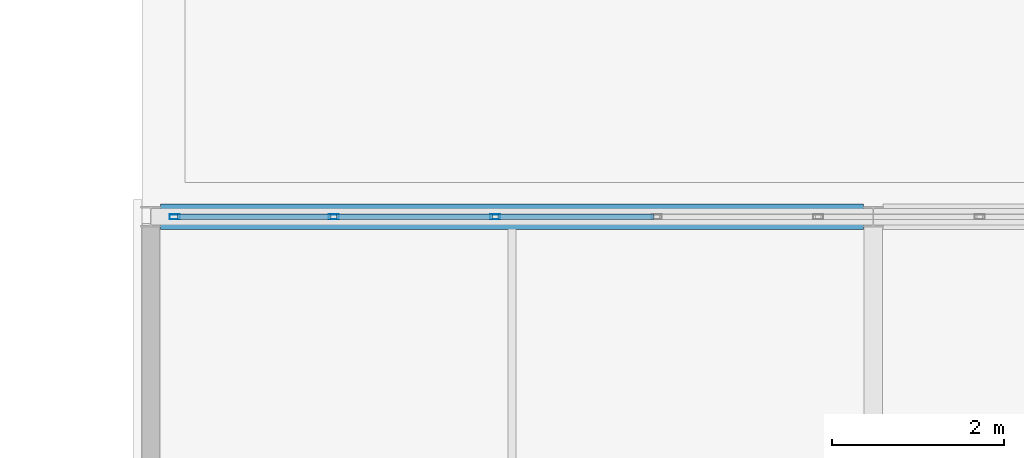
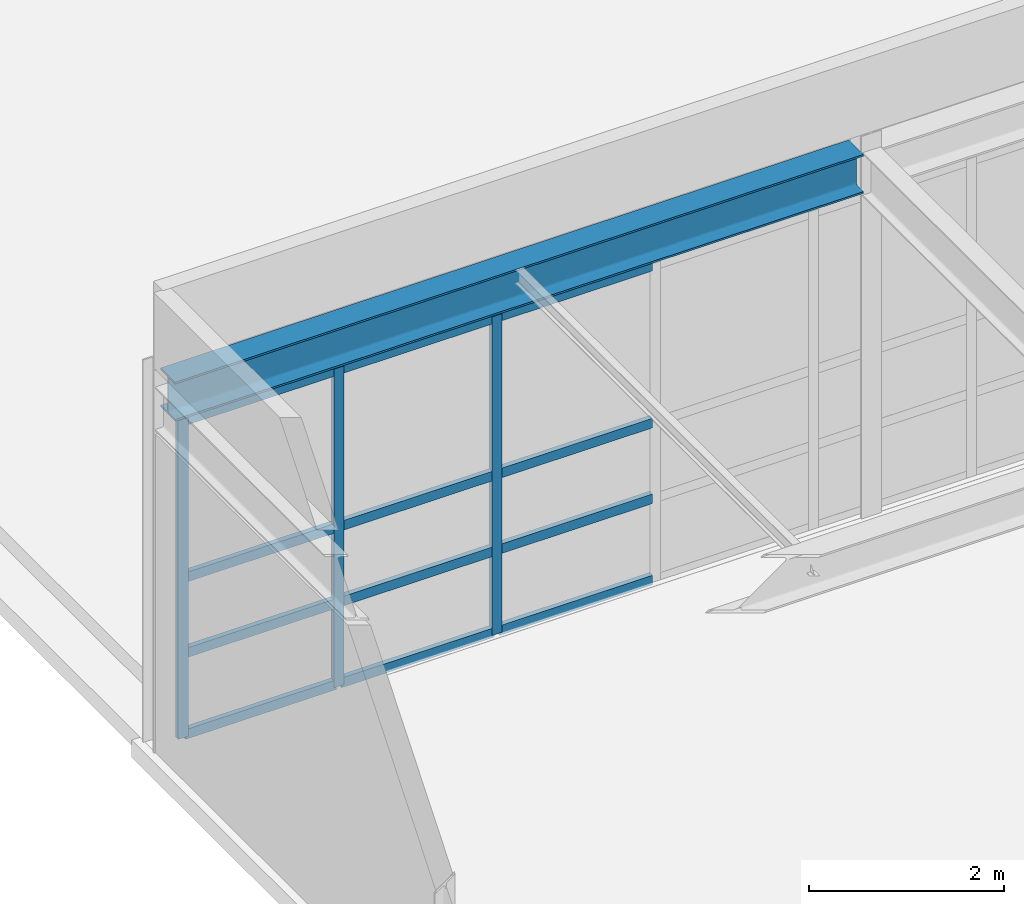
# One storey, part 20 of 38: 15 members, 1 beam, 1 element without a shape of its own.
"""IFC4 building model written with IfcOpenShell, lengths in metres."""

from ifc_helpers import new_model, si_unit, direction, frame, origin, origin_2d, place, context, subcontext, project, spatial, hollow_rectangle, i_section, extrude, material, material_profile, profile_set, type_object, element, aggregate, save


model = new_model("IFC4")

# Units and contexts
model_context = context("Model", 3, precision=1e-05, world=origin(), true_north=direction((0.0, 1.0)))
body_context = subcontext(model_context, "Body", "Model", "MODEL_VIEW")
ifc_project = project(units=[si_unit("LENGTHUNIT", "METRE"), si_unit("AREAUNIT", "SQUARE_METRE"), si_unit("VOLUMEUNIT", "CUBIC_METRE"), si_unit("PLANEANGLEUNIT", "RADIAN"), si_unit("MASSUNIT", "GRAM", prefix="KILO")], contexts=[model_context])

# Site, building, storey
site_placement = place(None, origin())
site = spatial("IfcSite", under=ifc_project, at=site_placement, CompositionType="ELEMENT")
building_placement = place(site_placement, origin())
building = spatial("IfcBuilding", under=site, at=building_placement, Name="Kaldris Quays Convention Centre", CompositionType="ELEMENT")
storey_placement = place(building_placement, frame((0.0, 0.0, 21.60009765625)))
storey = spatial("IfcBuildingStorey", under=building, at=storey_placement, Name="L04", CompositionType="ELEMENT", Elevation=21.60009765625)

# Curtain wall, members
ifc_material_1 = material(Name="Anodized aluminium AW-6060 and triple glazing", Category="aluminium")
curtain_wall_type = type_object("IfcCurtainWallType", Name="UNITISED CURTAIN WALL CW05", PredefinedType="NOTDEFINED", material=ifc_material_1)
curtain_wall_placement = place(storey_placement, origin())
curtain_wall = element("IfcCurtainWall", 1, at=curtain_wall_placement, inside=storey, type_object=curtain_wall_type, Name="L04 Unitised Curtain Wall CW05 151", PredefinedType="NOTDEFINED")
ifc_material_2 = material(Name="Anodized aluminium AW-6060", Category="aluminium")
ifc_material_profile_1 = material_profile(ifc_material_2, hollow_rectangle(XDim=0.06005859375, YDim=0.1201171875, WallThickness=0.00390625, at=origin_2d()), Name="RHS 120x60x4")
ifc_profile_set_1 = profile_set([ifc_material_profile_1], Name="Anodized aluminium AW-6060")
member_type_1 = type_object("IfcMemberType", Name="CURTAIN MULLION CWM3", PredefinedType="MULLION", material=ifc_profile_set_1)
member_1_placement = place(storey_placement, frame((146.8798828125, 98.0, 0.0), z_axis=(0.0, 0.0, 1.0), x_axis=(0.0, 1.0, 0.0)))
member_1 = element("IfcMember", 2, at=member_1_placement, type_object=member_type_1, Name="CW05 mullion 1", PredefinedType="MULLION", context=body_context, shape_type="SweptSolid", body=[
    extrude(hollow_rectangle(XDim=0.06005859375, YDim=0.1201171875, WallThickness=0.00390625, at=origin_2d()), origin(), (0.0, 0.0, 1.0), 4.0),
])
member_2_placement = place(storey_placement, frame((148.727783203125, 98.0, 0.0), z_axis=(0.0, 0.0, 1.0), x_axis=(0.0, 1.0, 0.0)))
member_2 = element("IfcMember", 3, at=member_2_placement, type_object=member_type_1, Name="CW05 mullion 2", PredefinedType="MULLION", context=body_context, shape_type="SweptSolid", body=[
    extrude(hollow_rectangle(XDim=0.06005859375, YDim=0.1201171875, WallThickness=0.00390625, at=origin_2d()), origin(), (0.0, 0.0, 1.0), 4.0),
])
member_3_placement = place(storey_placement, frame((150.60546875, 98.0, 0.0), z_axis=(0.0, 0.0, 1.0), x_axis=(0.0, 1.0, 0.0)))
member_3 = element("IfcMember", 4, at=member_3_placement, type_object=member_type_1, Name="CW05 mullion 3", PredefinedType="MULLION", context=body_context, shape_type="SweptSolid", body=[
    extrude(hollow_rectangle(XDim=0.06005859375, YDim=0.1201171875, WallThickness=0.00390625, at=origin_2d()), origin(), (0.0, 0.0, 1.0), 4.0),
])
ifc_material_profile_2 = material_profile(ifc_material_2, hollow_rectangle(XDim=0.06005859375, YDim=0.1201171875, WallThickness=0.00390625, at=origin_2d()), Name="RHS 120x60x4")
ifc_profile_set_2 = profile_set([ifc_material_profile_2], Name="Anodized aluminium AW-6060")
member_type_2 = type_object("IfcMemberType", Name="CURTAIN TRANSOM CWT1", PredefinedType="USERDEFINED", material=ifc_profile_set_2)
member_4_placement = place(storey_placement, frame((146.909912109375, 98.0, 0.02978515625), z_axis=(1.0, 0.0, 0.0), x_axis=(0.0, 1.0, 0.0)))
member_4 = element("IfcMember", 5, at=member_4_placement, type_object=member_type_2, Name="CW05 transom 1.1", ObjectType="TRANSOM", PredefinedType="USERDEFINED", context=body_context, shape_type="SweptSolid", body=[
    extrude(hollow_rectangle(XDim=0.06005859375, YDim=0.1201171875, WallThickness=0.00390625, at=origin_2d()), origin(), (0.0, 0.0, 1.0), 1.787841796875),
])
member_5_placement = place(storey_placement, frame((146.909912109375, 98.0, 1.0498046875), z_axis=(1.0, 0.0, 0.0), x_axis=(0.0, 1.0, 0.0)))
member_5 = element("IfcMember", 6, at=member_5_placement, type_object=member_type_2, Name="CW05 transom 1.2", ObjectType="TRANSOM", PredefinedType="USERDEFINED", context=body_context, shape_type="SweptSolid", body=[
    extrude(hollow_rectangle(XDim=0.06005859375, YDim=0.1201171875, WallThickness=0.00390625, at=origin_2d()), origin(), (0.0, 0.0, 1.0), 1.787841796875),
])
member_6_placement = place(storey_placement, frame((146.909912109375, 98.0, 2.0), z_axis=(1.0, 0.0, 0.0), x_axis=(0.0, 1.0, 0.0)))
member_6 = element("IfcMember", 7, at=member_6_placement, type_object=member_type_2, Name="CW05 transom 1.3", ObjectType="TRANSOM", PredefinedType="USERDEFINED", context=body_context, shape_type="SweptSolid", body=[
    extrude(hollow_rectangle(XDim=0.06005859375, YDim=0.1201171875, WallThickness=0.00390625, at=origin_2d()), origin(), (0.0, 0.0, 1.0), 1.787841796875),
])
member_7_placement = place(storey_placement, frame((146.909912109375, 98.0, 3.969970703125), z_axis=(1.0, 0.0, 0.0), x_axis=(0.0, 1.0, 0.0)))
member_7 = element("IfcMember", 8, at=member_7_placement, type_object=member_type_2, Name="CW05 transom 1.4", ObjectType="TRANSOM", PredefinedType="USERDEFINED", context=body_context, shape_type="SweptSolid", body=[
    extrude(hollow_rectangle(XDim=0.06005859375, YDim=0.1201171875, WallThickness=0.00390625, at=origin_2d()), origin(), (0.0, 0.0, 1.0), 1.787841796875),
])
member_8_placement = place(storey_placement, frame((148.7578125, 98.0, 0.02978515625), z_axis=(1.0, 0.0, 0.0), x_axis=(0.0, 1.0, 0.0)))
member_8 = element("IfcMember", 9, at=member_8_placement, type_object=member_type_2, Name="CW05 transom 2.1", ObjectType="TRANSOM", PredefinedType="USERDEFINED", context=body_context, shape_type="SweptSolid", body=[
    extrude(hollow_rectangle(XDim=0.06005859375, YDim=0.1201171875, WallThickness=0.00390625, at=origin_2d()), origin(), (0.0, 0.0, 1.0), 1.817626953125),
])
member_9_placement = place(storey_placement, frame((148.7578125, 98.0, 1.0498046875), z_axis=(1.0, 0.0, 0.0), x_axis=(0.0, 1.0, 0.0)))
member_9 = element("IfcMember", 10, at=member_9_placement, type_object=member_type_2, Name="CW05 transom 2.2", ObjectType="TRANSOM", PredefinedType="USERDEFINED", context=body_context, shape_type="SweptSolid", body=[
    extrude(hollow_rectangle(XDim=0.06005859375, YDim=0.1201171875, WallThickness=0.00390625, at=origin_2d()), origin(), (0.0, 0.0, 1.0), 1.817626953125),
])
member_10_placement = place(storey_placement, frame((148.7578125, 98.0, 2.0), z_axis=(1.0, 0.0, 0.0), x_axis=(0.0, 1.0, 0.0)))
member_10 = element("IfcMember", 11, at=member_10_placement, type_object=member_type_2, Name="CW05 transom 2.3", ObjectType="TRANSOM", PredefinedType="USERDEFINED", context=body_context, shape_type="SweptSolid", body=[
    extrude(hollow_rectangle(XDim=0.06005859375, YDim=0.1201171875, WallThickness=0.00390625, at=origin_2d()), origin(), (0.0, 0.0, 1.0), 1.817626953125),
])
member_11_placement = place(storey_placement, frame((148.7578125, 98.0, 3.969970703125), z_axis=(1.0, 0.0, 0.0), x_axis=(0.0, 1.0, 0.0)))
member_11 = element("IfcMember", 12, at=member_11_placement, type_object=member_type_2, Name="CW05 transom 2.4", ObjectType="TRANSOM", PredefinedType="USERDEFINED", context=body_context, shape_type="SweptSolid", body=[
    extrude(hollow_rectangle(XDim=0.06005859375, YDim=0.1201171875, WallThickness=0.00390625, at=origin_2d()), origin(), (0.0, 0.0, 1.0), 1.817626953125),
])
member_12_placement = place(storey_placement, frame((150.635498046875, 98.0, 0.02978515625), z_axis=(1.0, 0.0, 0.0), x_axis=(0.0, 1.0, 0.0)))
member_12 = element("IfcMember", 13, at=member_12_placement, type_object=member_type_2, Name="CW05 transom 3.1", ObjectType="TRANSOM", PredefinedType="USERDEFINED", context=body_context, shape_type="SweptSolid", body=[
    extrude(hollow_rectangle(XDim=0.06005859375, YDim=0.1201171875, WallThickness=0.00390625, at=origin_2d()), origin(), (0.0, 0.0, 1.0), 1.81787109375),
])
member_13_placement = place(storey_placement, frame((150.635498046875, 98.0, 1.0498046875), z_axis=(1.0, 0.0, 0.0), x_axis=(0.0, 1.0, 0.0)))
member_13 = element("IfcMember", 14, at=member_13_placement, type_object=member_type_2, Name="CW05 transom 3.2", ObjectType="TRANSOM", PredefinedType="USERDEFINED", context=body_context, shape_type="SweptSolid", body=[
    extrude(hollow_rectangle(XDim=0.06005859375, YDim=0.1201171875, WallThickness=0.00390625, at=origin_2d()), origin(), (0.0, 0.0, 1.0), 1.81787109375),
])
member_14_placement = place(storey_placement, frame((150.635498046875, 98.0, 2.0), z_axis=(1.0, 0.0, 0.0), x_axis=(0.0, 1.0, 0.0)))
member_14 = element("IfcMember", 15, at=member_14_placement, type_object=member_type_2, Name="CW05 transom 3.3", ObjectType="TRANSOM", PredefinedType="USERDEFINED", context=body_context, shape_type="SweptSolid", body=[
    extrude(hollow_rectangle(XDim=0.06005859375, YDim=0.1201171875, WallThickness=0.00390625, at=origin_2d()), origin(), (0.0, 0.0, 1.0), 1.81787109375),
])
member_15_placement = place(storey_placement, frame((150.635498046875, 98.0, 3.969970703125), z_axis=(1.0, 0.0, 0.0), x_axis=(0.0, 1.0, 0.0)))
member_15 = element("IfcMember", 16, at=member_15_placement, type_object=member_type_2, Name="CW05 transom 3.4", ObjectType="TRANSOM", PredefinedType="USERDEFINED", context=body_context, shape_type="SweptSolid", body=[
    extrude(hollow_rectangle(XDim=0.06005859375, YDim=0.1201171875, WallThickness=0.00390625, at=origin_2d()), origin(), (0.0, 0.0, 1.0), 1.81787109375),
])
aggregate(curtain_wall, [member_1, member_2, member_3, member_4, member_5, member_6, member_7, member_8, member_9, member_10, member_11, member_12, member_13, member_14, member_15])

# Beam
ifc_material_3 = material(Name="Steel S355J2", Category="steel")
ifc_material_profile_3 = material_profile(ifc_material_3, i_section(OverallWidth=0.300048828125, OverallDepth=0.489990234375, WebThickness=0.011962890625, FlangeThickness=0.02294921875, FilletRadius=0.027099609375, at=origin_2d()), Name="HEA 500")
ifc_profile_set_3 = profile_set([ifc_material_profile_3], Name="Steel S355J2")
beam_type = type_object("IfcBeamType", Name="STRUCTURAL BEAM BM09", PredefinedType="BEAM", material=ifc_profile_set_3)
beam_placement = place(storey_placement, frame((146.714111328125, 98.0, 4.347900390625), z_axis=(1.0, 0.0, 0.0), x_axis=(0.0, 1.0, 0.0)))
element("IfcBeam", 17, at=beam_placement, inside=storey, type_object=beam_type, Name="L04 Girder BM09 36", PredefinedType="BEAM", context=body_context, shape_type="SweptSolid", body=[
    extrude(i_section(OverallWidth=0.300048828125, OverallDepth=0.489990234375, WebThickness=0.011962890625, FlangeThickness=0.02294921875, FilletRadius=0.027099609375, at=origin_2d()), origin(), (0.0, 0.0, 1.0), 8.171875),
])

save(model, "model.ifc")
